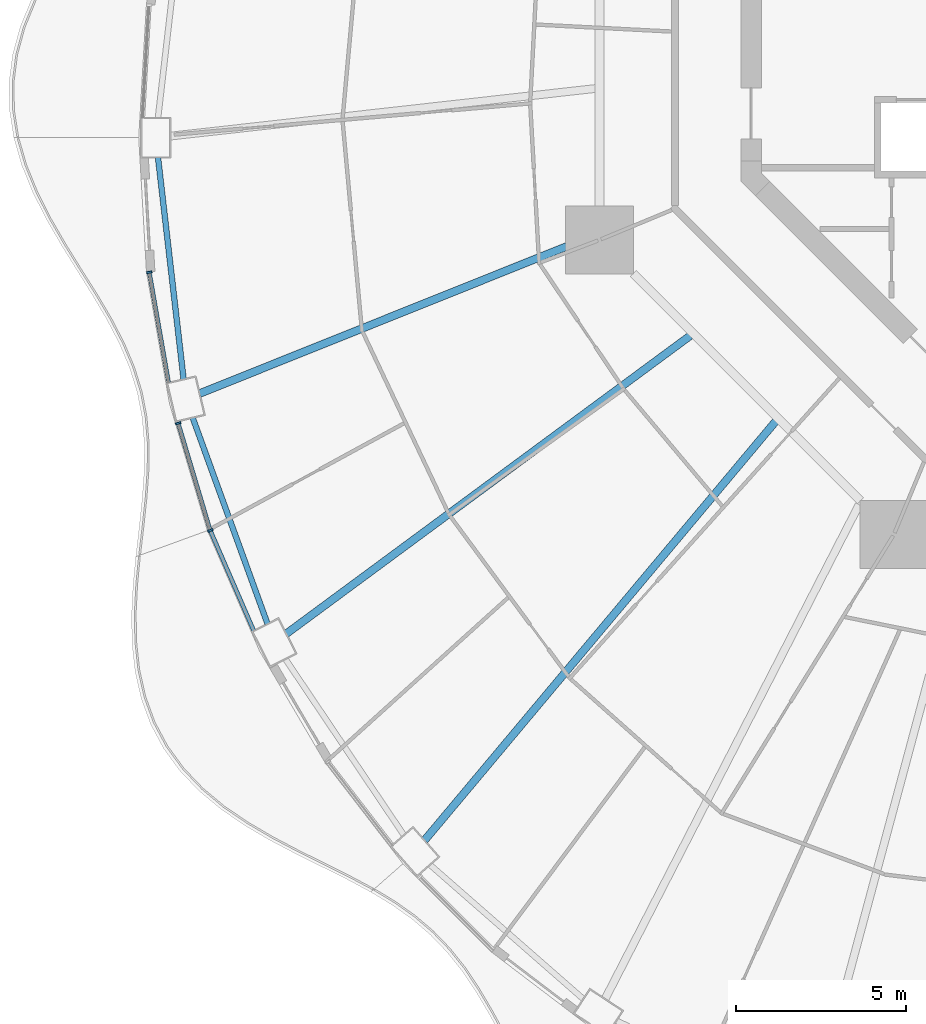
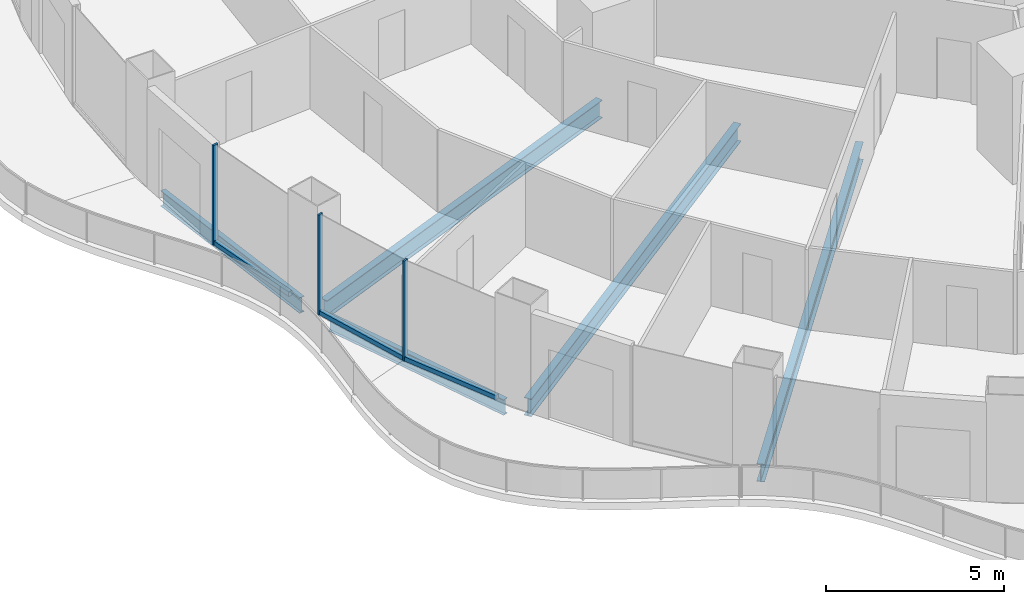
# One storey, part 3 of 19: 6 members, 5 beams, 3 elements without a shape of their own.
"""IFC4 building model written with IfcOpenShell, lengths in metres."""

from ifc_helpers import new_model, si_unit, direction, frame, origin, origin_2d, place, context, subcontext, project, spatial, rectangle, i_section, extrude, material, layer, layer_set, material_profile, profile_set, type_object, element, aggregate, save


model = new_model("IFC4")

# Units and contexts
model_context = context("Model", 3, precision=1e-05, world=origin(), true_north=direction((0.0, 1.0)))
body_context = subcontext(model_context, "Body", "Model", "MODEL_VIEW")
ifc_project = project(units=[si_unit("LENGTHUNIT", "METRE"), si_unit("AREAUNIT", "SQUARE_METRE"), si_unit("VOLUMEUNIT", "CUBIC_METRE"), si_unit("PLANEANGLEUNIT", "RADIAN"), si_unit("MASSUNIT", "GRAM", prefix="KILO")], contexts=[model_context])

# Site, building, storey
site_placement = place(None, origin())
site = spatial("IfcSite", under=ifc_project, at=site_placement, CompositionType="ELEMENT")
building_placement = place(site_placement, origin())
building = spatial("IfcBuilding", under=site, at=building_placement, Name="Nagisa Residences", CompositionType="ELEMENT")
storey_placement = place(building_placement, frame((0.0, 0.0, 127.0)))
storey = spatial("IfcBuildingStorey", under=building, at=storey_placement, Name="L31", CompositionType="ELEMENT", Elevation=127.0)

# Curtain wall, member
ifc_material_1 = material(Name="Concrete-coloured aluminium curtain wall system", Category="concrete")
ifc_layer = layer(ifc_material_1, 0.159912109375)
ifc_layer_set = layer_set([ifc_layer], Name="CW1 CURTAIN WALL")
curtain_wall_type = type_object("IfcCurtainWallType", Name="CW1 CURTAIN WALL", PredefinedType="NOTDEFINED", material=ifc_layer_set)
curtain_wall_1_placement = place(storey_placement, origin())
curtain_wall_1 = element("IfcCurtainWall", 1, at=curtain_wall_1_placement, inside=storey, type_object=curtain_wall_type, Name="cw:CW1:L31:25", PredefinedType="NOTDEFINED")
ifc_material_2 = material(Name="Concrete-coloured aluminium", Category="concrete")
ifc_material_profile_1 = material_profile(ifc_material_2, rectangle(XDim=0.159912109375, YDim=0.06005859375, at=origin_2d()), Name="CW1 MULLION 160x60")
ifc_profile_set_1 = profile_set([ifc_material_profile_1], Name="Concrete-coloured aluminium")
member_type_1 = type_object("IfcMemberType", Name="CW1 MULLION 160x60", PredefinedType="MULLION", material=ifc_profile_set_1)
member_1_placement = place(storey_placement, frame((-28.02392578125, -7.07470703125, 0.0), z_axis=(0.0, 0.0, 1.0), x_axis=(0.985063604377, 0.172190868898, 0.0)))
member_1 = element("IfcMember", 2, at=member_1_placement, type_object=member_type_1, Name="CW1 mullion", PredefinedType="MULLION", context=body_context, shape_type="SweptSolid", body=[
    extrude(rectangle(XDim=0.159912109375, YDim=0.06005859375, at=origin_2d()), origin(), (0.0, 0.0, 1.0), 3.43994140625),
])

curtain_wall_2_placement = place(storey_placement, origin())
curtain_wall_2 = element("IfcCurtainWall", 3, at=curtain_wall_2_placement, inside=storey, type_object=curtain_wall_type, Name="cw:CW1:L31:26", PredefinedType="NOTDEFINED")
member_2_placement = place(storey_placement, frame((-27.174072265625, -11.513671875, 0.0), z_axis=(0.0, 0.0, 1.0), x_axis=(0.958271310082, 0.285860274038, 0.0)))
member_2 = element("IfcMember", 4, at=member_2_placement, type_object=member_type_1, Name="CW1 mullion", PredefinedType="MULLION", context=body_context, shape_type="SweptSolid", body=[
    extrude(rectangle(XDim=0.159912109375, YDim=0.06005859375, at=origin_2d()), origin(), (0.0, 0.0, 1.0), 3.43994140625),
])

curtain_wall_3_placement = place(storey_placement, origin())
curtain_wall_3 = element("IfcCurtainWall", 5, at=curtain_wall_3_placement, inside=storey, type_object=curtain_wall_type, Name="cw:CW1:L31:27", PredefinedType="NOTDEFINED")
member_3_placement = place(storey_placement, frame((-26.229736328125, -14.66845703125, 0.0), z_axis=(0.0, 0.0, 1.0), x_axis=(0.917543276295, 0.397635934147, 0.0)))
member_3 = element("IfcMember", 6, at=member_3_placement, type_object=member_type_1, Name="CW1 mullion", PredefinedType="MULLION", context=body_context, shape_type="SweptSolid", body=[
    extrude(rectangle(XDim=0.159912109375, YDim=0.06005859375, at=origin_2d()), origin(), (0.0, 0.0, 1.0), 3.43994140625),
])

# Member
ifc_material_3 = material(Name="Concrete-coloured aluminium", Category="concrete")
ifc_material_profile_2 = material_profile(ifc_material_3, rectangle(XDim=0.1201171875, YDim=0.14990234375, at=origin_2d()), Name="CW1 TRANSOM 120x150")
ifc_profile_set_2 = profile_set([ifc_material_profile_2], Name="Concrete-coloured aluminium")
member_type_2 = type_object("IfcMemberType", Name="CW1 TRANSOM 120x150", PredefinedType="USERDEFINED", material=ifc_profile_set_2)
member_4_placement = place(storey_placement, frame((-28.029296875, -7.045166015625, 0.074951171875), z_axis=(0.172234609255, -0.985055957484, 0.0), x_axis=(0.985055957484, 0.172234609255, 0.0)))
member_4 = element("IfcMember", 7, at=member_4_placement, type_object=member_type_2, Name="CW1 transom", ObjectType="TRANSOM", PredefinedType="USERDEFINED", context=body_context, shape_type="SweptSolid", body=[
    extrude(rectangle(XDim=0.1201171875, YDim=0.14990234375, at=origin_2d()), origin(), (0.0, 0.0, 1.0), 3.33251953125),
])

aggregate(curtain_wall_1, [member_1, member_4])

member_5_placement = place(storey_placement, frame((-27.1826171875, -11.48486328125, 0.074951171875), z_axis=(0.285842038783, -0.958276749621, 0.0), x_axis=(0.958276749621, 0.285842038783, 0.0)))
member_5 = element("IfcMember", 8, at=member_5_placement, type_object=member_type_2, Name="CW1 transom", ObjectType="TRANSOM", PredefinedType="USERDEFINED", context=body_context, shape_type="SweptSolid", body=[
    extrude(rectangle(XDim=0.1201171875, YDim=0.14990234375, at=origin_2d()), origin(), (0.0, 0.0, 1.0), 3.302734375),
])

aggregate(curtain_wall_2, [member_2, member_5])

member_6_placement = place(storey_placement, frame((-26.24169921875, -14.64111328125, 0.074951171875), z_axis=(0.397666272939, -0.917530127771, 0.0), x_axis=(0.917530127771, 0.397666272939, 0.0)))
member_6 = element("IfcMember", 9, at=member_6_placement, type_object=member_type_2, Name="CW1 transom", ObjectType="TRANSOM", PredefinedType="USERDEFINED", context=body_context, shape_type="SweptSolid", body=[
    extrude(rectangle(XDim=0.1201171875, YDim=0.14990234375, at=origin_2d()), origin(), (0.0, 0.0, 1.0), 3.260498046875),
])

aggregate(curtain_wall_3, [member_3, member_6])

# Beams
ifc_material_4 = material(Name="Steel ASTM A572 Gr 50", Category="steel")
ifc_material_profile_3 = material_profile(ifc_material_4, i_section(OverallWidth=0.166015625, OverallDepth=0.534912109375, WebThickness=0.01025390625, FlangeThickness=0.0166015625, at=origin_2d()), Name="W530x85")
ifc_profile_set_3 = profile_set([ifc_material_profile_3], Name="Steel ASTM A572 Gr 50")
beam_type_1 = type_object("IfcBeamType", Name="Perimeter ring beam W530x85", PredefinedType="BEAM", material=ifc_profile_set_3)
beam_1_placement = place(storey_placement, frame((-27.76806640625, -3.69775390625, -0.527587890625), z_axis=(0.114660786771, -0.993404703017, 0.0), x_axis=(0.993404703017, 0.114660786771, 0.0)))
element("IfcBeam", 10, at=beam_1_placement, inside=storey, type_object=beam_type_1, Name="beam:L31:pb13", PredefinedType="BEAM", context=body_context, shape_type="SweptSolid", body=[
    extrude(i_section(OverallWidth=0.166015625, OverallDepth=0.534912109375, WebThickness=0.01025390625, FlangeThickness=0.0166015625, at=origin_2d()), origin(), (0.0, 0.0, 1.0), 6.568603515625),
])
beam_2_placement = place(storey_placement, frame((-26.74853515625, -11.352294921875, -0.527587890625), z_axis=(0.341366238276, -0.939930365168, 0.0), x_axis=(0.939930365168, 0.341366238276, 0.0)))
element("IfcBeam", 11, at=beam_2_placement, inside=storey, type_object=beam_type_1, Name="beam:L31:pb14", PredefinedType="BEAM", context=body_context, shape_type="SweptSolid", body=[
    extrude(i_section(OverallWidth=0.166015625, OverallDepth=0.534912109375, WebThickness=0.01025390625, FlangeThickness=0.0166015625, at=origin_2d()), origin(), (0.0, 0.0, 1.0), 6.450927734375),
])
ifc_material_5 = material(Name="Steel ASTM A572 Gr 50", Category="steel")
ifc_material_profile_4 = material_profile(ifc_material_5, i_section(OverallWidth=0.22900390625, OverallDepth=0.612060546875, WebThickness=0.011962890625, FlangeThickness=0.01953125, at=origin_2d()), Name="W610x125")
ifc_profile_set_4 = profile_set([ifc_material_profile_4], Name="Steel ASTM A572 Gr 50")
beam_type_2 = type_object("IfcBeamType", Name="Radial beam W610x125", PredefinedType="BEAM", material=ifc_profile_set_4)
beam_3_placement = place(storey_placement, frame((-26.5439453125, -10.641357421875, -0.56591796875), z_axis=(0.928186733156, 0.372114751648, 0.0), x_axis=(-0.372114751648, 0.928186733156, 0.0)))
element("IfcBeam", 12, at=beam_3_placement, inside=storey, type_object=beam_type_2, Name="beam:L31:rb14", PredefinedType="BEAM", context=body_context, shape_type="SweptSolid", body=[
    extrude(i_section(OverallWidth=0.22900390625, OverallDepth=0.612060546875, WebThickness=0.011962890625, FlangeThickness=0.01953125, at=origin_2d()), origin(), (0.0, 0.0, 1.0), 12.554931640625),
])
beam_4_placement = place(storey_placement, frame((-23.995849609375, -17.7060546875, -0.56591796875), z_axis=(0.804660796299, 0.59373479172, 0.0), x_axis=(-0.59373479172, 0.804660796299, 0.0)))
element("IfcBeam", 13, at=beam_4_placement, inside=storey, type_object=beam_type_2, Name="beam:L31:rb15", PredefinedType="BEAM", context=body_context, shape_type="SweptSolid", body=[
    extrude(i_section(OverallWidth=0.22900390625, OverallDepth=0.612060546875, WebThickness=0.011962890625, FlangeThickness=0.01953125, at=origin_2d()), origin(), (0.0, 0.0, 1.0), 14.763427734375),
])
beam_5_placement = place(storey_placement, frame((-19.929931640625, -23.78173828125, -0.56591796875), z_axis=(0.642300860107, 0.766452611128, 0.0), x_axis=(-0.766452611128, 0.642300860107, 0.0)))
element("IfcBeam", 14, at=beam_5_placement, inside=storey, type_object=beam_type_2, Name="beam:L31:rb16", PredefinedType="BEAM", context=body_context, shape_type="SweptSolid", body=[
    extrude(i_section(OverallWidth=0.22900390625, OverallDepth=0.612060546875, WebThickness=0.011962890625, FlangeThickness=0.01953125, at=origin_2d()), origin(), (0.0, 0.0, 1.0), 16.081787109375),
])

save(model, "model.ifc")
